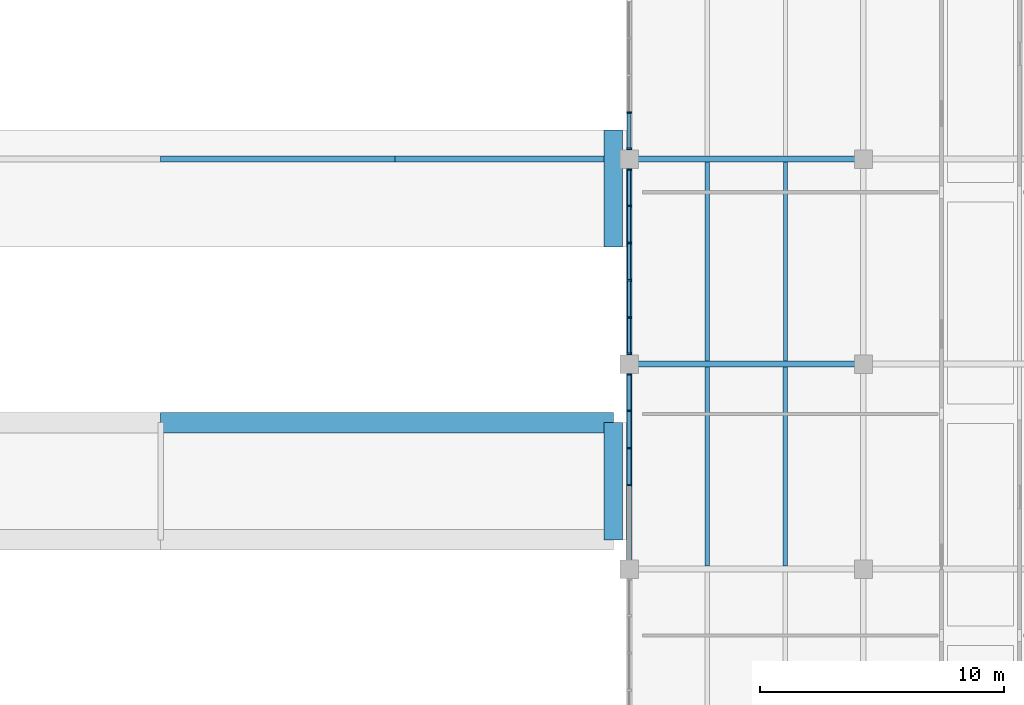
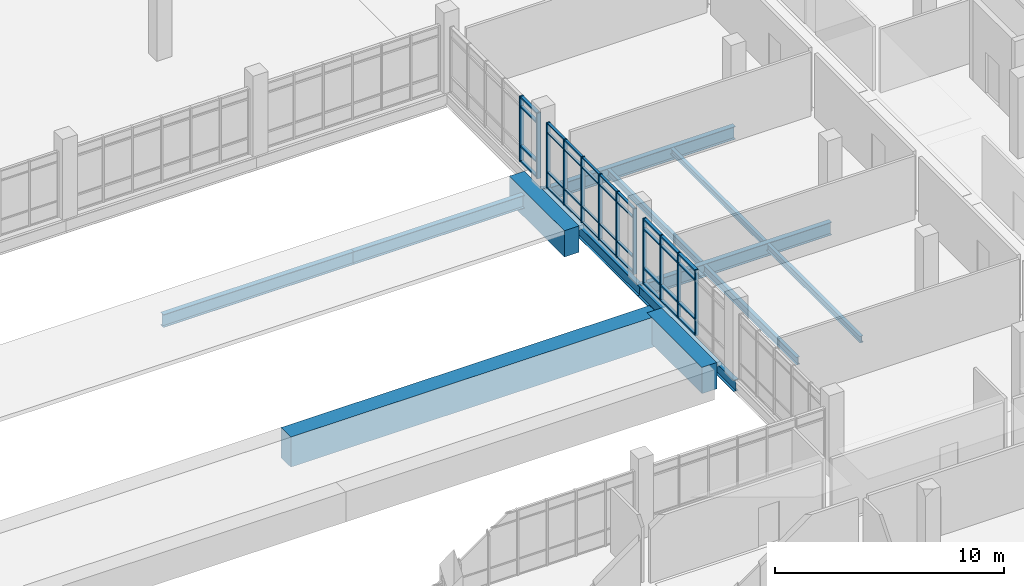
# One storey, part 26 of 86: 48 members, 13 beams, 3 elements without a shape of their own.
"""IFC4 building model written with IfcOpenShell, lengths in metres."""

from ifc_helpers import new_model, si_unit, direction, frame, origin, origin_2d, place, context, subcontext, project, spatial, rectangle, i_section, extrude, material, material_profile, profile_set, type_object, element, aggregate, save


model = new_model("IFC4")

# Units and contexts
model_context = context("Model", 3, precision=1e-05, world=origin(), true_north=direction((0.0, 1.0)))
body_context = subcontext(model_context, "Body", "Model", "MODEL_VIEW")
ifc_project = project(units=[si_unit("LENGTHUNIT", "METRE"), si_unit("AREAUNIT", "SQUARE_METRE"), si_unit("VOLUMEUNIT", "CUBIC_METRE"), si_unit("PLANEANGLEUNIT", "RADIAN"), si_unit("MASSUNIT", "GRAM", prefix="KILO")], contexts=[model_context])

# Site, building, storey
site_placement = place(None, origin())
site = spatial("IfcSite", under=ifc_project, at=site_placement, CompositionType="ELEMENT")
building_placement = place(site_placement, origin())
building = spatial("IfcBuilding", under=site, at=building_placement, Name="Oolite Switchyard Hospital", CompositionType="ELEMENT")
storey_placement = place(building_placement, frame((0.0, 0.0, 13.5)))
storey = spatial("IfcBuildingStorey", under=building, at=storey_placement, Name="L03", CompositionType="ELEMENT", Elevation=13.5)

# Beams
ifc_material_1 = material(Name="Concrete C40/50", Category="concrete")
ifc_material_profile_1 = material_profile(ifc_material_1, rectangle(XDim=0.75, YDim=1.39990234375, at=origin_2d()), Name="RCT750X1400")
ifc_profile_set_1 = profile_set([ifc_material_profile_1], Name="Concrete C40/50")
beam_type_1 = type_object("IfcBeamType", Name="BM-TR750X1400", PredefinedType="BEAM", material=ifc_profile_set_1)
for number, where, z_axis, x_axis, name in (
    (1, (181.75, 34.800048828125, -0.699951171875), (0.0, 1.0, 0.0), (-1.0, 0.0, 0.0), "L03 Y-Girder 2346"),
    (2, (181.75, 46.800048828125, -0.699951171875), (0.0, 1.0, 0.0), (-1.0, 0.0, 0.0), "L03 Y-Girder 2347"),
):
    element("IfcBeam", number, at=place(storey_placement, frame(where, z_axis=z_axis, x_axis=x_axis)), inside=storey, type_object=beam_type_1, Name=name, PredefinedType="BEAM", context=body_context, shape_type="SweptSolid", body=[
        extrude(rectangle(XDim=0.75, YDim=1.39990234375, at=origin_2d()), origin(), (0.0, 0.0, 1.0), 4.800048828125),
    ])
ifc_material_profile_2 = material_profile(ifc_material_1, rectangle(XDim=0.85009765625, YDim=1.60009765625, at=origin_2d()), Name="RCT850X1600")
ifc_profile_set_2 = profile_set([ifc_material_profile_2], Name="Concrete C40/50")
beam_type_2 = type_object("IfcBeamType", Name="BM-TR850X1600", PredefinedType="BEAM", material=ifc_profile_set_2)
beam_1_placement = place(storey_placement, frame((163.199951171875, 39.60009765625, -0.800048828125), z_axis=(1.0, 0.0, 0.0), x_axis=(0.0, 1.0, 0.0)))
element("IfcBeam", 3, at=beam_1_placement, inside=storey, type_object=beam_type_2, Name="L03 X-Girder 1962", PredefinedType="BEAM", context=body_context, shape_type="SweptSolid", body=[
    extrude(rectangle(XDim=0.85009765625, YDim=1.60009765625, at=origin_2d()), origin(), (0.0, 0.0, 1.0), 18.550048828125),
])
ifc_material_2 = material(Name="Steel ASTM A992 Grade 50", Category="steel")
ifc_material_profile_3 = material_profile(ifc_material_2, i_section(OverallWidth=0.1650390625, OverallDepth=0.31005859375, WebThickness=0.006103515625, FlangeThickness=0.010009765625, at=origin_2d()), Name="W12X26")
ifc_profile_set_3 = profile_set([ifc_material_profile_3], Name="Steel ASTM A992 Grade 50")
beam_type_3 = type_object("IfcBeamType", Name="BM-W12X26", PredefinedType="JOIST", material=ifc_profile_set_3)
beam_2_placement = place(storey_placement, frame((188.800048828125, 42.126953125, -0.429931640625), z_axis=(0.0, 1.0, 0.0), x_axis=(-1.0, 0.0, 0.0)))
element("IfcBeam", 4, at=beam_2_placement, inside=storey, type_object=beam_type_3, Name="L03 Secondary Steel Joist 2703", PredefinedType="JOIST", context=body_context, shape_type="SweptSolid", body=[
    extrude(i_section(OverallWidth=0.1650390625, OverallDepth=0.31005859375, WebThickness=0.006103515625, FlangeThickness=0.010009765625, at=origin_2d()), origin(), (0.0, 0.0, 1.0), 8.14599609375),
])
ifc_material_profile_4 = material_profile(ifc_material_2, i_section(OverallWidth=0.1708984375, OverallDepth=0.35107421875, WebThickness=0.007080078125, FlangeThickness=0.010009765625, at=origin_2d()), Name="W14X30")
ifc_profile_set_4 = profile_set([ifc_material_profile_4], Name="Steel ASTM A992 Grade 50")
beam_type_4 = type_object("IfcBeamType", Name="BM-W14X30", PredefinedType="JOIST", material=ifc_profile_set_4)
for number, where, z_axis, x_axis, name in (
    (5, (188.800048828125, 33.72705078125, -0.449951171875), (0.0, 1.0, 0.0), (-1.0, 0.0, 0.0), "L03 Secondary Steel Joist 2701"),
    (6, (185.60009765625, 42.126953125, -0.449951171875), (0.0, 1.0, 0.0), (-1.0, 0.0, 0.0), "L03 Secondary Steel Joist 2702"),
):
    element("IfcBeam", number, at=place(storey_placement, frame(where, z_axis=z_axis, x_axis=x_axis)), inside=storey, type_object=beam_type_4, Name=name, PredefinedType="JOIST", context=body_context, shape_type="SweptSolid", body=[
        extrude(i_section(OverallWidth=0.1708984375, OverallDepth=0.35107421875, WebThickness=0.007080078125, FlangeThickness=0.010009765625, at=origin_2d()), origin(), (0.0, 0.0, 1.0), 8.14599609375),
    ])
ifc_material_profile_5 = material_profile(ifc_material_2, i_section(OverallWidth=0.177978515625, OverallDepth=0.403076171875, WebThickness=0.008056640625, FlangeThickness=0.010986328125, at=origin_2d()), Name="W16X36")
ifc_profile_set_5 = profile_set([ifc_material_profile_5], Name="Steel ASTM A992 Grade 50")
beam_type_5 = type_object("IfcBeamType", Name="BM-W16X36", PredefinedType="JOIST", material=ifc_profile_set_5)
beam_3_placement = place(storey_placement, frame((185.60009765625, 33.72705078125, -0.47607421875), z_axis=(0.0, 1.0, 0.0), x_axis=(-1.0, 0.0, 0.0)))
element("IfcBeam", 7, at=beam_3_placement, inside=storey, type_object=beam_type_5, Name="L03 Secondary Steel Joist 2700", PredefinedType="JOIST", context=body_context, shape_type="SweptSolid", body=[
    extrude(i_section(OverallWidth=0.177978515625, OverallDepth=0.403076171875, WebThickness=0.008056640625, FlangeThickness=0.010986328125, at=origin_2d()), origin(), (0.0, 0.0, 1.0), 8.14599609375),
])
ifc_material_profile_6 = material_profile(ifc_material_2, i_section(OverallWidth=0.22900390625, OverallDepth=0.612060546875, WebThickness=0.011962890625, FlangeThickness=0.02001953125, at=origin_2d()), Name="W24X84")
ifc_profile_set_6 = profile_set([ifc_material_profile_6], Name="Steel ASTM A992 Grade 50")
beam_type_6 = type_object("IfcBeamType", Name="BM-W24X84", PredefinedType="BEAM", material=ifc_profile_set_6)
for number, where, z_axis, x_axis, name in (
    (8, (182.39990234375, 33.60009765625, -0.5810546875), (0.0, 1.0, 0.0), (-1.0, 0.0, 0.0), "L03 Y-Girder 2351"),
    (9, (182.39990234375, 42.0, -0.5810546875), (0.0, 1.0, 0.0), (-1.0, 0.0, 0.0), "L03 Y-Girder 2352"),
):
    element("IfcBeam", number, at=place(storey_placement, frame(where, z_axis=z_axis, x_axis=x_axis)), inside=storey, type_object=beam_type_6, Name=name, PredefinedType="BEAM", context=body_context, shape_type="SweptSolid", body=[
        extrude(i_section(OverallWidth=0.22900390625, OverallDepth=0.612060546875, WebThickness=0.011962890625, FlangeThickness=0.02001953125, at=origin_2d()), origin(), (0.0, 0.0, 1.0), 8.39990234375),
    ])
ifc_material_profile_7 = material_profile(ifc_material_2, i_section(OverallWidth=0.25390625, OverallDepth=0.68408203125, WebThickness=0.011962890625, FlangeThickness=0.01904296875, at=origin_2d()), Name="W27X94")
ifc_profile_set_7 = profile_set([ifc_material_profile_7], Name="Steel ASTM A992 Grade 50")
beam_type_7 = type_object("IfcBeamType", Name="BM-W27X94", PredefinedType="BEAM", material=ifc_profile_set_7)
for number, where, z_axis, x_axis, name in (
    (10, (182.39990234375, 42.0, -0.616943359375), (1.0, 0.0, 0.0), (0.0, 1.0, 0.0), "L03 X-Girder 1972"),
    (11, (163.199951171875, 50.39990234375, -0.56201171875), (1.0, 0.0, 0.0), (0.0, 1.0, 0.0), "L03 X-Girder 1986"),
):
    element("IfcBeam", number, at=place(storey_placement, frame(where, z_axis=z_axis, x_axis=x_axis)), inside=storey, type_object=beam_type_7, Name=name, PredefinedType="BEAM", context=body_context, shape_type="SweptSolid", body=[
        extrude(i_section(OverallWidth=0.25390625, OverallDepth=0.68408203125, WebThickness=0.011962890625, FlangeThickness=0.01904296875, at=origin_2d()), origin(), (0.0, 0.0, 1.0), 9.60009765625),
    ])
beam_4_placement = place(storey_placement, frame((172.800048828125, 50.39990234375, -0.56201171875), z_axis=(1.0, 0.0, 0.0), x_axis=(0.0, 1.0, 0.0)))
element("IfcBeam", 12, at=beam_4_placement, inside=storey, type_object=beam_type_7, Name="L03 X-Girder 1987", PredefinedType="BEAM", context=body_context, shape_type="SweptSolid", body=[
    extrude(i_section(OverallWidth=0.25390625, OverallDepth=0.68408203125, WebThickness=0.011962890625, FlangeThickness=0.01904296875, at=origin_2d()), origin(), (0.0, 0.0, 1.0), 9.599853515625),
])
beam_5_placement = place(storey_placement, frame((182.39990234375, 50.39990234375, -0.616943359375), z_axis=(1.0, 0.0, 0.0), x_axis=(0.0, 1.0, 0.0)))
element("IfcBeam", 13, at=beam_5_placement, inside=storey, type_object=beam_type_7, Name="L03 X-Girder 1988", PredefinedType="BEAM", context=body_context, shape_type="SweptSolid", body=[
    extrude(i_section(OverallWidth=0.25390625, OverallDepth=0.68408203125, WebThickness=0.011962890625, FlangeThickness=0.01904296875, at=origin_2d()), origin(), (0.0, 0.0, 1.0), 9.60009765625),
])

# Curtain wall, members
ifc_material_3 = material(Name="Thermally broken aluminum frame with laminated impact glazing", Category="aluminium")
curtain_wall_type = type_object("IfcCurtainWallType", Name="CW-UNIT-84X43", PredefinedType="USERDEFINED", material=ifc_material_3)
curtain_wall_1_placement = place(storey_placement, origin())
curtain_wall_1 = element("IfcCurtainWall", 14, at=curtain_wall_1_placement, inside=storey, type_object=curtain_wall_type, Name="L03 Unitised Curtain Wall 345", ObjectType="UNITISED", PredefinedType="USERDEFINED")
ifc_material_4 = material(Name="Aluminium 6063-T6", Category="aluminium")
ifc_material_profile_8 = material_profile(ifc_material_4, rectangle(XDim=0.159912109375, YDim=0.06005859375, at=origin_2d()), Name="CWM60X160")
ifc_profile_set_8 = profile_set([ifc_material_profile_8], Name="Aluminium 6063-T6")
member_type_1 = type_object("IfcMemberType", Name="CW-MUL-180", PredefinedType="MULLION", material=ifc_profile_set_8)
member_1_placement = place(storey_placement, frame((182.39990234375, 37.0380859375, 0.0), z_axis=(0.0, 0.0, 1.0), x_axis=(-1.0, 0.0, 0.0)))
member_1 = element("IfcMember", 15, at=member_1_placement, type_object=member_type_1, Name="CW-09 mullion 3", PredefinedType="MULLION", context=body_context, shape_type="SweptSolid", body=[
    extrude(rectangle(XDim=0.159912109375, YDim=0.06005859375, at=origin_2d()), origin(), (0.0, 0.0, 1.0), 3.489990234375),
])
member_2_placement = place(storey_placement, frame((182.39990234375, 38.56201171875, 0.0), z_axis=(0.0, 0.0, 1.0), x_axis=(-1.0, 0.0, 0.0)))
member_2 = element("IfcMember", 16, at=member_2_placement, type_object=member_type_1, Name="CW-09 mullion 4", PredefinedType="MULLION", context=body_context, shape_type="SweptSolid", body=[
    extrude(rectangle(XDim=0.159912109375, YDim=0.06005859375, at=origin_2d()), origin(), (0.0, 0.0, 1.0), 3.489990234375),
])
member_3_placement = place(storey_placement, frame((182.39990234375, 40.0859375, 0.0), z_axis=(0.0, 0.0, 1.0), x_axis=(-1.0, 0.0, 0.0)))
member_3 = element("IfcMember", 17, at=member_3_placement, type_object=member_type_1, Name="CW-09 mullion 5", PredefinedType="MULLION", context=body_context, shape_type="SweptSolid", body=[
    extrude(rectangle(XDim=0.159912109375, YDim=0.06005859375, at=origin_2d()), origin(), (0.0, 0.0, 1.0), 3.489990234375),
])
member_4_placement = place(storey_placement, frame((182.39990234375, 41.580078125, 0.0), z_axis=(0.0, 0.0, 1.0), x_axis=(-1.0, 0.0, 0.0)))
member_4 = element("IfcMember", 18, at=member_4_placement, type_object=member_type_1, Name="CW-09 mullion 6", PredefinedType="MULLION", context=body_context, shape_type="SweptSolid", body=[
    extrude(rectangle(XDim=0.159912109375, YDim=0.06005859375, at=origin_2d()), origin(), (0.0, 0.0, 1.0), 3.489990234375),
])

curtain_wall_2_placement = place(storey_placement, origin())
curtain_wall_2 = element("IfcCurtainWall", 19, at=curtain_wall_2_placement, inside=storey, type_object=curtain_wall_type, Name="L03 Unitised Curtain Wall 346", ObjectType="UNITISED", PredefinedType="USERDEFINED")
ifc_material_profile_9 = material_profile(ifc_material_4, rectangle(XDim=0.179931640625, YDim=0.070068359375, at=origin_2d()), Name="CWM70X180")
ifc_profile_set_9 = profile_set([ifc_material_profile_9], Name="Aluminium 6063-T6")
member_type_2 = type_object("IfcMemberType", Name="CW-MUL-220", PredefinedType="MULLION", material=ifc_profile_set_9)
member_5_placement = place(storey_placement, frame((182.39990234375, 42.425048828125, 0.0), z_axis=(0.0, 0.0, 1.0), x_axis=(-1.0, 0.0, 0.0)))
member_5 = element("IfcMember", 20, at=member_5_placement, type_object=member_type_2, Name="CW-09 mullion 1", PredefinedType="MULLION", context=body_context, shape_type="SweptSolid", body=[
    extrude(rectangle(XDim=0.179931640625, YDim=0.070068359375, at=origin_2d()), origin(), (0.0, 0.0, 1.0), 3.489990234375),
])
member_6_placement = place(storey_placement, frame((182.39990234375, 43.9140625, 0.0), z_axis=(0.0, 0.0, 1.0), x_axis=(-1.0, 0.0, 0.0)))
member_6 = element("IfcMember", 21, at=member_6_placement, type_object=member_type_2, Name="CW-09 mullion 2", PredefinedType="MULLION", context=body_context, shape_type="SweptSolid", body=[
    extrude(rectangle(XDim=0.179931640625, YDim=0.070068359375, at=origin_2d()), origin(), (0.0, 0.0, 1.0), 3.489990234375),
])
member_7_placement = place(storey_placement, frame((182.39990234375, 45.43798828125, 0.0), z_axis=(0.0, 0.0, 1.0), x_axis=(-1.0, 0.0, 0.0)))
member_7 = element("IfcMember", 22, at=member_7_placement, type_object=member_type_2, Name="CW-09 mullion 3", PredefinedType="MULLION", context=body_context, shape_type="SweptSolid", body=[
    extrude(rectangle(XDim=0.179931640625, YDim=0.070068359375, at=origin_2d()), origin(), (0.0, 0.0, 1.0), 3.489990234375),
])
member_8_placement = place(storey_placement, frame((182.39990234375, 46.9619140625, 0.0), z_axis=(0.0, 0.0, 1.0), x_axis=(-1.0, 0.0, 0.0)))
member_8 = element("IfcMember", 23, at=member_8_placement, type_object=member_type_2, Name="CW-09 mullion 4", PredefinedType="MULLION", context=body_context, shape_type="SweptSolid", body=[
    extrude(rectangle(XDim=0.179931640625, YDim=0.070068359375, at=origin_2d()), origin(), (0.0, 0.0, 1.0), 3.489990234375),
])
member_9_placement = place(storey_placement, frame((182.39990234375, 48.486083984375, 0.0), z_axis=(0.0, 0.0, 1.0), x_axis=(-1.0, 0.0, 0.0)))
member_9 = element("IfcMember", 24, at=member_9_placement, type_object=member_type_2, Name="CW-09 mullion 5", PredefinedType="MULLION", context=body_context, shape_type="SweptSolid", body=[
    extrude(rectangle(XDim=0.179931640625, YDim=0.070068359375, at=origin_2d()), origin(), (0.0, 0.0, 1.0), 3.489990234375),
])
member_10_placement = place(storey_placement, frame((182.39990234375, 49.97509765625, 0.0), z_axis=(0.0, 0.0, 1.0), x_axis=(-1.0, 0.0, 0.0)))
member_10 = element("IfcMember", 25, at=member_10_placement, type_object=member_type_2, Name="CW-09 mullion 6", PredefinedType="MULLION", context=body_context, shape_type="SweptSolid", body=[
    extrude(rectangle(XDim=0.179931640625, YDim=0.070068359375, at=origin_2d()), origin(), (0.0, 0.0, 1.0), 3.489990234375),
])

curtain_wall_3_placement = place(storey_placement, origin())
curtain_wall_3 = element("IfcCurtainWall", 26, at=curtain_wall_3_placement, inside=storey, type_object=curtain_wall_type, Name="L03 Unitised Curtain Wall 347", ObjectType="UNITISED", PredefinedType="USERDEFINED")
ifc_material_profile_10 = material_profile(ifc_material_4, rectangle(XDim=0.199951171875, YDim=0.074951171875, at=origin_2d()), Name="CWM75X200")
ifc_profile_set_10 = profile_set([ifc_material_profile_10], Name="Aluminium 6063-T6")
member_type_3 = type_object("IfcMemberType", Name="CW-MUL-260", PredefinedType="MULLION", material=ifc_profile_set_10)
member_11_placement = place(storey_placement, frame((182.39990234375, 50.827392578125, 0.0), z_axis=(0.0, 0.0, 1.0), x_axis=(-1.0, 0.0, 0.0)))
member_11 = element("IfcMember", 27, at=member_11_placement, type_object=member_type_3, Name="CW-09 mullion 1", PredefinedType="MULLION", context=body_context, shape_type="SweptSolid", body=[
    extrude(rectangle(XDim=0.199951171875, YDim=0.074951171875, at=origin_2d()), origin(), (0.0, 0.0, 1.0), 3.489990234375),
])
member_12_placement = place(storey_placement, frame((182.39990234375, 52.31396484375, 0.0), z_axis=(0.0, 0.0, 1.0), x_axis=(-1.0, 0.0, 0.0)))
member_12 = element("IfcMember", 28, at=member_12_placement, type_object=member_type_3, Name="CW-09 mullion 2", PredefinedType="MULLION", context=body_context, shape_type="SweptSolid", body=[
    extrude(rectangle(XDim=0.199951171875, YDim=0.074951171875, at=origin_2d()), origin(), (0.0, 0.0, 1.0), 3.489990234375),
])

# Member
ifc_material_profile_11 = material_profile(ifc_material_4, rectangle(XDim=0.1201171875, YDim=0.06005859375, at=origin_2d()), Name="CWT60X120")
ifc_profile_set_11 = profile_set([ifc_material_profile_11], Name="Aluminium 6063-T6")
member_type_4 = type_object("IfcMemberType", Name="CW-TRN-150", PredefinedType="USERDEFINED", material=ifc_profile_set_11)
member_13_placement = place(storey_placement, frame((182.39990234375, 42.4599609375, 0.030029296875), z_axis=(0.0, 1.0, 0.0), x_axis=(-1.0, 0.0, 0.0)))
member_13 = element("IfcMember", 29, at=member_13_placement, type_object=member_type_4, Name="CW-09 transom 1.1", ObjectType="TRANSOM", PredefinedType="USERDEFINED", context=body_context, shape_type="SweptSolid", body=[
    extrude(rectangle(XDim=0.1201171875, YDim=0.06005859375, at=origin_2d()), origin(), (0.0, 0.0, 1.0), 1.4189453125),
])

member_14_placement = place(storey_placement, frame((182.39990234375, 42.4599609375, 0.85009765625), z_axis=(0.0, 1.0, 0.0), x_axis=(-1.0, 0.0, 0.0)))
member_14 = element("IfcMember", 30, at=member_14_placement, type_object=member_type_4, Name="CW-09 transom 1.2", ObjectType="TRANSOM", PredefinedType="USERDEFINED", context=body_context, shape_type="SweptSolid", body=[
    extrude(rectangle(XDim=0.1201171875, YDim=0.06005859375, at=origin_2d()), origin(), (0.0, 0.0, 1.0), 1.4189453125),
])

member_15_placement = place(storey_placement, frame((182.39990234375, 42.4599609375, 2.93994140625), z_axis=(0.0, 1.0, 0.0), x_axis=(-1.0, 0.0, 0.0)))
member_15 = element("IfcMember", 31, at=member_15_placement, type_object=member_type_4, Name="CW-09 transom 1.3", ObjectType="TRANSOM", PredefinedType="USERDEFINED", context=body_context, shape_type="SweptSolid", body=[
    extrude(rectangle(XDim=0.1201171875, YDim=0.06005859375, at=origin_2d()), origin(), (0.0, 0.0, 1.0), 1.4189453125),
])

member_16_placement = place(storey_placement, frame((182.39990234375, 42.4599609375, 3.4599609375), z_axis=(0.0, 1.0, 0.0), x_axis=(-1.0, 0.0, 0.0)))
member_16 = element("IfcMember", 32, at=member_16_placement, type_object=member_type_4, Name="CW-09 transom 1.4", ObjectType="TRANSOM", PredefinedType="USERDEFINED", context=body_context, shape_type="SweptSolid", body=[
    extrude(rectangle(XDim=0.1201171875, YDim=0.06005859375, at=origin_2d()), origin(), (0.0, 0.0, 1.0), 1.4189453125),
])

member_17_placement = place(storey_placement, frame((182.39990234375, 43.948974609375, 0.030029296875), z_axis=(0.0, 1.0, 0.0), x_axis=(-1.0, 0.0, 0.0)))
member_17 = element("IfcMember", 33, at=member_17_placement, type_object=member_type_4, Name="CW-09 transom 2.1", ObjectType="TRANSOM", PredefinedType="USERDEFINED", context=body_context, shape_type="SweptSolid", body=[
    extrude(rectangle(XDim=0.1201171875, YDim=0.06005859375, at=origin_2d()), origin(), (0.0, 0.0, 1.0), 1.4541015625),
])

member_18_placement = place(storey_placement, frame((182.39990234375, 43.948974609375, 0.85009765625), z_axis=(0.0, 1.0, 0.0), x_axis=(-1.0, 0.0, 0.0)))
member_18 = element("IfcMember", 34, at=member_18_placement, type_object=member_type_4, Name="CW-09 transom 2.2", ObjectType="TRANSOM", PredefinedType="USERDEFINED", context=body_context, shape_type="SweptSolid", body=[
    extrude(rectangle(XDim=0.1201171875, YDim=0.06005859375, at=origin_2d()), origin(), (0.0, 0.0, 1.0), 1.4541015625),
])

member_19_placement = place(storey_placement, frame((182.39990234375, 43.948974609375, 2.93994140625), z_axis=(0.0, 1.0, 0.0), x_axis=(-1.0, 0.0, 0.0)))
member_19 = element("IfcMember", 35, at=member_19_placement, type_object=member_type_4, Name="CW-09 transom 2.3", ObjectType="TRANSOM", PredefinedType="USERDEFINED", context=body_context, shape_type="SweptSolid", body=[
    extrude(rectangle(XDim=0.1201171875, YDim=0.06005859375, at=origin_2d()), origin(), (0.0, 0.0, 1.0), 1.4541015625),
])

member_20_placement = place(storey_placement, frame((182.39990234375, 43.948974609375, 3.4599609375), z_axis=(0.0, 1.0, 0.0), x_axis=(-1.0, 0.0, 0.0)))
member_20 = element("IfcMember", 36, at=member_20_placement, type_object=member_type_4, Name="CW-09 transom 2.4", ObjectType="TRANSOM", PredefinedType="USERDEFINED", context=body_context, shape_type="SweptSolid", body=[
    extrude(rectangle(XDim=0.1201171875, YDim=0.06005859375, at=origin_2d()), origin(), (0.0, 0.0, 1.0), 1.4541015625),
])

member_21_placement = place(storey_placement, frame((182.39990234375, 45.472900390625, 0.030029296875), z_axis=(0.0, 1.0, 0.0), x_axis=(-1.0, 0.0, 0.0)))
member_21 = element("IfcMember", 37, at=member_21_placement, type_object=member_type_4, Name="CW-09 transom 3.1", ObjectType="TRANSOM", PredefinedType="USERDEFINED", context=body_context, shape_type="SweptSolid", body=[
    extrude(rectangle(XDim=0.1201171875, YDim=0.06005859375, at=origin_2d()), origin(), (0.0, 0.0, 1.0), 1.4541015625),
])

member_22_placement = place(storey_placement, frame((182.39990234375, 45.472900390625, 0.85009765625), z_axis=(0.0, 1.0, 0.0), x_axis=(-1.0, 0.0, 0.0)))
member_22 = element("IfcMember", 38, at=member_22_placement, type_object=member_type_4, Name="CW-09 transom 3.2", ObjectType="TRANSOM", PredefinedType="USERDEFINED", context=body_context, shape_type="SweptSolid", body=[
    extrude(rectangle(XDim=0.1201171875, YDim=0.06005859375, at=origin_2d()), origin(), (0.0, 0.0, 1.0), 1.4541015625),
])

member_23_placement = place(storey_placement, frame((182.39990234375, 45.472900390625, 2.93994140625), z_axis=(0.0, 1.0, 0.0), x_axis=(-1.0, 0.0, 0.0)))
member_23 = element("IfcMember", 39, at=member_23_placement, type_object=member_type_4, Name="CW-09 transom 3.3", ObjectType="TRANSOM", PredefinedType="USERDEFINED", context=body_context, shape_type="SweptSolid", body=[
    extrude(rectangle(XDim=0.1201171875, YDim=0.06005859375, at=origin_2d()), origin(), (0.0, 0.0, 1.0), 1.4541015625),
])

member_24_placement = place(storey_placement, frame((182.39990234375, 45.472900390625, 3.4599609375), z_axis=(0.0, 1.0, 0.0), x_axis=(-1.0, 0.0, 0.0)))
member_24 = element("IfcMember", 40, at=member_24_placement, type_object=member_type_4, Name="CW-09 transom 3.4", ObjectType="TRANSOM", PredefinedType="USERDEFINED", context=body_context, shape_type="SweptSolid", body=[
    extrude(rectangle(XDim=0.1201171875, YDim=0.06005859375, at=origin_2d()), origin(), (0.0, 0.0, 1.0), 1.4541015625),
])

member_25_placement = place(storey_placement, frame((182.39990234375, 46.9970703125, 0.030029296875), z_axis=(0.0, 1.0, 0.0), x_axis=(-1.0, 0.0, 0.0)))
member_25 = element("IfcMember", 41, at=member_25_placement, type_object=member_type_4, Name="CW-09 transom 4.1", ObjectType="TRANSOM", PredefinedType="USERDEFINED", context=body_context, shape_type="SweptSolid", body=[
    extrude(rectangle(XDim=0.1201171875, YDim=0.06005859375, at=origin_2d()), origin(), (0.0, 0.0, 1.0), 1.453857421875),
])

member_26_placement = place(storey_placement, frame((182.39990234375, 46.9970703125, 0.85009765625), z_axis=(0.0, 1.0, 0.0), x_axis=(-1.0, 0.0, 0.0)))
member_26 = element("IfcMember", 42, at=member_26_placement, type_object=member_type_4, Name="CW-09 transom 4.2", ObjectType="TRANSOM", PredefinedType="USERDEFINED", context=body_context, shape_type="SweptSolid", body=[
    extrude(rectangle(XDim=0.1201171875, YDim=0.06005859375, at=origin_2d()), origin(), (0.0, 0.0, 1.0), 1.453857421875),
])

member_27_placement = place(storey_placement, frame((182.39990234375, 46.9970703125, 2.93994140625), z_axis=(0.0, 1.0, 0.0), x_axis=(-1.0, 0.0, 0.0)))
member_27 = element("IfcMember", 43, at=member_27_placement, type_object=member_type_4, Name="CW-09 transom 4.3", ObjectType="TRANSOM", PredefinedType="USERDEFINED", context=body_context, shape_type="SweptSolid", body=[
    extrude(rectangle(XDim=0.1201171875, YDim=0.06005859375, at=origin_2d()), origin(), (0.0, 0.0, 1.0), 1.453857421875),
])

member_28_placement = place(storey_placement, frame((182.39990234375, 46.9970703125, 3.4599609375), z_axis=(0.0, 1.0, 0.0), x_axis=(-1.0, 0.0, 0.0)))
member_28 = element("IfcMember", 44, at=member_28_placement, type_object=member_type_4, Name="CW-09 transom 4.4", ObjectType="TRANSOM", PredefinedType="USERDEFINED", context=body_context, shape_type="SweptSolid", body=[
    extrude(rectangle(XDim=0.1201171875, YDim=0.06005859375, at=origin_2d()), origin(), (0.0, 0.0, 1.0), 1.453857421875),
])

member_29_placement = place(storey_placement, frame((182.39990234375, 48.52099609375, 0.030029296875), z_axis=(0.0, 1.0, 0.0), x_axis=(-1.0, 0.0, 0.0)))
member_29 = element("IfcMember", 45, at=member_29_placement, type_object=member_type_4, Name="CW-09 transom 5.1", ObjectType="TRANSOM", PredefinedType="USERDEFINED", context=body_context, shape_type="SweptSolid", body=[
    extrude(rectangle(XDim=0.1201171875, YDim=0.06005859375, at=origin_2d()), origin(), (0.0, 0.0, 1.0), 1.4189453125),
])

member_30_placement = place(storey_placement, frame((182.39990234375, 48.52099609375, 0.85009765625), z_axis=(0.0, 1.0, 0.0), x_axis=(-1.0, 0.0, 0.0)))
member_30 = element("IfcMember", 46, at=member_30_placement, type_object=member_type_4, Name="CW-09 transom 5.2", ObjectType="TRANSOM", PredefinedType="USERDEFINED", context=body_context, shape_type="SweptSolid", body=[
    extrude(rectangle(XDim=0.1201171875, YDim=0.06005859375, at=origin_2d()), origin(), (0.0, 0.0, 1.0), 1.4189453125),
])

member_31_placement = place(storey_placement, frame((182.39990234375, 48.52099609375, 2.93994140625), z_axis=(0.0, 1.0, 0.0), x_axis=(-1.0, 0.0, 0.0)))
member_31 = element("IfcMember", 47, at=member_31_placement, type_object=member_type_4, Name="CW-09 transom 5.3", ObjectType="TRANSOM", PredefinedType="USERDEFINED", context=body_context, shape_type="SweptSolid", body=[
    extrude(rectangle(XDim=0.1201171875, YDim=0.06005859375, at=origin_2d()), origin(), (0.0, 0.0, 1.0), 1.4189453125),
])

member_32_placement = place(storey_placement, frame((182.39990234375, 48.52099609375, 3.4599609375), z_axis=(0.0, 1.0, 0.0), x_axis=(-1.0, 0.0, 0.0)))
member_32 = element("IfcMember", 48, at=member_32_placement, type_object=member_type_4, Name="CW-09 transom 5.4", ObjectType="TRANSOM", PredefinedType="USERDEFINED", context=body_context, shape_type="SweptSolid", body=[
    extrude(rectangle(XDim=0.1201171875, YDim=0.06005859375, at=origin_2d()), origin(), (0.0, 0.0, 1.0), 1.4189453125),
])

aggregate(curtain_wall_2, [member_5, member_6, member_7, member_8, member_9, member_10, member_13, member_14, member_15, member_16, member_17, member_18, member_19, member_20, member_21, member_22, member_23, member_24, member_25, member_26, member_27, member_28, member_29, member_30, member_31, member_32])

ifc_material_profile_12 = material_profile(ifc_material_4, rectangle(XDim=0.159912109375, YDim=0.074951171875, at=origin_2d()), Name="CWT75X160")
ifc_profile_set_12 = profile_set([ifc_material_profile_12], Name="Aluminium 6063-T6")
member_type_5 = type_object("IfcMemberType", Name="CW-TRN-180", PredefinedType="USERDEFINED", material=ifc_profile_set_12)
member_33_placement = place(storey_placement, frame((182.39990234375, 37.068115234375, 0.03759765625), z_axis=(0.0, 1.0, 0.0), x_axis=(-1.0, 0.0, 0.0)))
member_33 = element("IfcMember", 49, at=member_33_placement, type_object=member_type_5, Name="CW-09 transom 3.1", ObjectType="TRANSOM", PredefinedType="USERDEFINED", context=body_context, shape_type="SweptSolid", body=[
    extrude(rectangle(XDim=0.159912109375, YDim=0.074951171875, at=origin_2d()), origin(), (0.0, 0.0, 1.0), 1.4638671875),
])

member_34_placement = place(storey_placement, frame((182.39990234375, 37.068115234375, 0.85009765625), z_axis=(0.0, 1.0, 0.0), x_axis=(-1.0, 0.0, 0.0)))
member_34 = element("IfcMember", 50, at=member_34_placement, type_object=member_type_5, Name="CW-09 transom 3.2", ObjectType="TRANSOM", PredefinedType="USERDEFINED", context=body_context, shape_type="SweptSolid", body=[
    extrude(rectangle(XDim=0.159912109375, YDim=0.074951171875, at=origin_2d()), origin(), (0.0, 0.0, 1.0), 1.4638671875),
])

member_35_placement = place(storey_placement, frame((182.39990234375, 37.068115234375, 2.93994140625), z_axis=(0.0, 1.0, 0.0), x_axis=(-1.0, 0.0, 0.0)))
member_35 = element("IfcMember", 51, at=member_35_placement, type_object=member_type_5, Name="CW-09 transom 3.3", ObjectType="TRANSOM", PredefinedType="USERDEFINED", context=body_context, shape_type="SweptSolid", body=[
    extrude(rectangle(XDim=0.159912109375, YDim=0.074951171875, at=origin_2d()), origin(), (0.0, 0.0, 1.0), 1.4638671875),
])

member_36_placement = place(storey_placement, frame((182.39990234375, 37.068115234375, 3.452392578125), z_axis=(0.0, 1.0, 0.0), x_axis=(-1.0, 0.0, 0.0)))
member_36 = element("IfcMember", 52, at=member_36_placement, type_object=member_type_5, Name="CW-09 transom 3.4", ObjectType="TRANSOM", PredefinedType="USERDEFINED", context=body_context, shape_type="SweptSolid", body=[
    extrude(rectangle(XDim=0.159912109375, YDim=0.074951171875, at=origin_2d()), origin(), (0.0, 0.0, 1.0), 1.4638671875),
])

member_37_placement = place(storey_placement, frame((182.39990234375, 38.592041015625, 0.03759765625), z_axis=(0.0, 1.0, 0.0), x_axis=(-1.0, 0.0, 0.0)))
member_37 = element("IfcMember", 53, at=member_37_placement, type_object=member_type_5, Name="CW-09 transom 4.1", ObjectType="TRANSOM", PredefinedType="USERDEFINED", context=body_context, shape_type="SweptSolid", body=[
    extrude(rectangle(XDim=0.159912109375, YDim=0.074951171875, at=origin_2d()), origin(), (0.0, 0.0, 1.0), 1.4638671875),
])

member_38_placement = place(storey_placement, frame((182.39990234375, 38.592041015625, 0.85009765625), z_axis=(0.0, 1.0, 0.0), x_axis=(-1.0, 0.0, 0.0)))
member_38 = element("IfcMember", 54, at=member_38_placement, type_object=member_type_5, Name="CW-09 transom 4.2", ObjectType="TRANSOM", PredefinedType="USERDEFINED", context=body_context, shape_type="SweptSolid", body=[
    extrude(rectangle(XDim=0.159912109375, YDim=0.074951171875, at=origin_2d()), origin(), (0.0, 0.0, 1.0), 1.4638671875),
])

member_39_placement = place(storey_placement, frame((182.39990234375, 38.592041015625, 2.93994140625), z_axis=(0.0, 1.0, 0.0), x_axis=(-1.0, 0.0, 0.0)))
member_39 = element("IfcMember", 55, at=member_39_placement, type_object=member_type_5, Name="CW-09 transom 4.3", ObjectType="TRANSOM", PredefinedType="USERDEFINED", context=body_context, shape_type="SweptSolid", body=[
    extrude(rectangle(XDim=0.159912109375, YDim=0.074951171875, at=origin_2d()), origin(), (0.0, 0.0, 1.0), 1.4638671875),
])

member_40_placement = place(storey_placement, frame((182.39990234375, 38.592041015625, 3.452392578125), z_axis=(0.0, 1.0, 0.0), x_axis=(-1.0, 0.0, 0.0)))
member_40 = element("IfcMember", 56, at=member_40_placement, type_object=member_type_5, Name="CW-09 transom 4.4", ObjectType="TRANSOM", PredefinedType="USERDEFINED", context=body_context, shape_type="SweptSolid", body=[
    extrude(rectangle(XDim=0.159912109375, YDim=0.074951171875, at=origin_2d()), origin(), (0.0, 0.0, 1.0), 1.4638671875),
])

member_41_placement = place(storey_placement, frame((182.39990234375, 40.115966796875, 0.03759765625), z_axis=(0.0, 1.0, 0.0), x_axis=(-1.0, 0.0, 0.0)))
member_41 = element("IfcMember", 57, at=member_41_placement, type_object=member_type_5, Name="CW-09 transom 5.1", ObjectType="TRANSOM", PredefinedType="USERDEFINED", context=body_context, shape_type="SweptSolid", body=[
    extrude(rectangle(XDim=0.159912109375, YDim=0.074951171875, at=origin_2d()), origin(), (0.0, 0.0, 1.0), 1.43408203125),
])

member_42_placement = place(storey_placement, frame((182.39990234375, 40.115966796875, 0.85009765625), z_axis=(0.0, 1.0, 0.0), x_axis=(-1.0, 0.0, 0.0)))
member_42 = element("IfcMember", 58, at=member_42_placement, type_object=member_type_5, Name="CW-09 transom 5.2", ObjectType="TRANSOM", PredefinedType="USERDEFINED", context=body_context, shape_type="SweptSolid", body=[
    extrude(rectangle(XDim=0.159912109375, YDim=0.074951171875, at=origin_2d()), origin(), (0.0, 0.0, 1.0), 1.43408203125),
])

member_43_placement = place(storey_placement, frame((182.39990234375, 40.115966796875, 2.93994140625), z_axis=(0.0, 1.0, 0.0), x_axis=(-1.0, 0.0, 0.0)))
member_43 = element("IfcMember", 59, at=member_43_placement, type_object=member_type_5, Name="CW-09 transom 5.3", ObjectType="TRANSOM", PredefinedType="USERDEFINED", context=body_context, shape_type="SweptSolid", body=[
    extrude(rectangle(XDim=0.159912109375, YDim=0.074951171875, at=origin_2d()), origin(), (0.0, 0.0, 1.0), 1.43408203125),
])

member_44_placement = place(storey_placement, frame((182.39990234375, 40.115966796875, 3.452392578125), z_axis=(0.0, 1.0, 0.0), x_axis=(-1.0, 0.0, 0.0)))
member_44 = element("IfcMember", 60, at=member_44_placement, type_object=member_type_5, Name="CW-09 transom 5.4", ObjectType="TRANSOM", PredefinedType="USERDEFINED", context=body_context, shape_type="SweptSolid", body=[
    extrude(rectangle(XDim=0.159912109375, YDim=0.074951171875, at=origin_2d()), origin(), (0.0, 0.0, 1.0), 1.43408203125),
])

aggregate(curtain_wall_1, [member_1, member_2, member_3, member_4, member_33, member_34, member_35, member_36, member_37, member_38, member_39, member_40, member_41, member_42, member_43, member_44])

member_45_placement = place(storey_placement, frame((182.39990234375, 50.864990234375, 0.03759765625), z_axis=(0.0, 1.0, 0.0), x_axis=(-1.0, 0.0, 0.0)))
member_45 = element("IfcMember", 61, at=member_45_placement, type_object=member_type_5, Name="CW-09 transom 1.1", ObjectType="TRANSOM", PredefinedType="USERDEFINED", context=body_context, shape_type="SweptSolid", body=[
    extrude(rectangle(XDim=0.159912109375, YDim=0.074951171875, at=origin_2d()), origin(), (0.0, 0.0, 1.0), 1.41162109375),
])

member_46_placement = place(storey_placement, frame((182.39990234375, 50.864990234375, 0.85009765625), z_axis=(0.0, 1.0, 0.0), x_axis=(-1.0, 0.0, 0.0)))
member_46 = element("IfcMember", 62, at=member_46_placement, type_object=member_type_5, Name="CW-09 transom 1.2", ObjectType="TRANSOM", PredefinedType="USERDEFINED", context=body_context, shape_type="SweptSolid", body=[
    extrude(rectangle(XDim=0.159912109375, YDim=0.074951171875, at=origin_2d()), origin(), (0.0, 0.0, 1.0), 1.41162109375),
])

member_47_placement = place(storey_placement, frame((182.39990234375, 50.864990234375, 2.93994140625), z_axis=(0.0, 1.0, 0.0), x_axis=(-1.0, 0.0, 0.0)))
member_47 = element("IfcMember", 63, at=member_47_placement, type_object=member_type_5, Name="CW-09 transom 1.3", ObjectType="TRANSOM", PredefinedType="USERDEFINED", context=body_context, shape_type="SweptSolid", body=[
    extrude(rectangle(XDim=0.159912109375, YDim=0.074951171875, at=origin_2d()), origin(), (0.0, 0.0, 1.0), 1.41162109375),
])

member_48_placement = place(storey_placement, frame((182.39990234375, 50.864990234375, 3.452392578125), z_axis=(0.0, 1.0, 0.0), x_axis=(-1.0, 0.0, 0.0)))
member_48 = element("IfcMember", 64, at=member_48_placement, type_object=member_type_5, Name="CW-09 transom 1.4", ObjectType="TRANSOM", PredefinedType="USERDEFINED", context=body_context, shape_type="SweptSolid", body=[
    extrude(rectangle(XDim=0.159912109375, YDim=0.074951171875, at=origin_2d()), origin(), (0.0, 0.0, 1.0), 1.41162109375),
])

aggregate(curtain_wall_3, [member_11, member_12, member_45, member_46, member_47, member_48])

save(model, "model.ifc")
